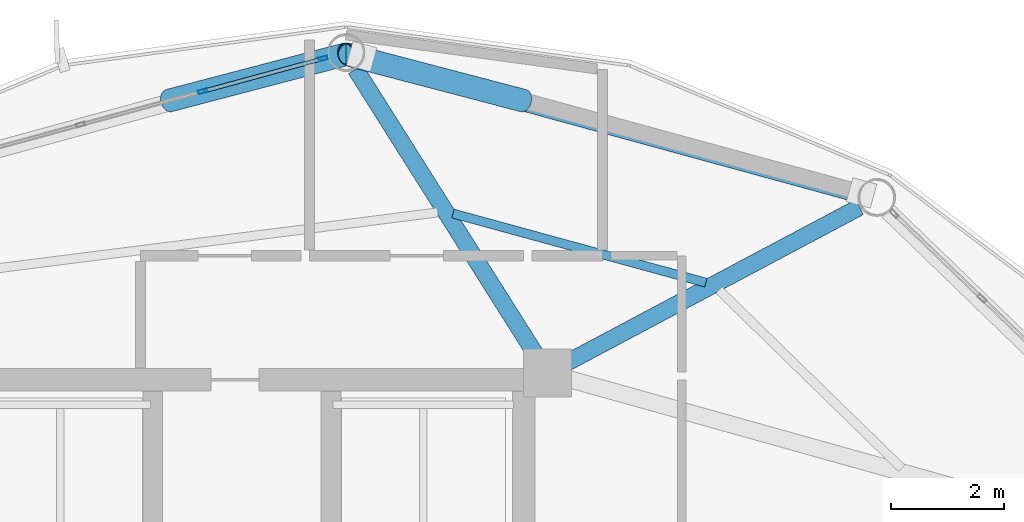
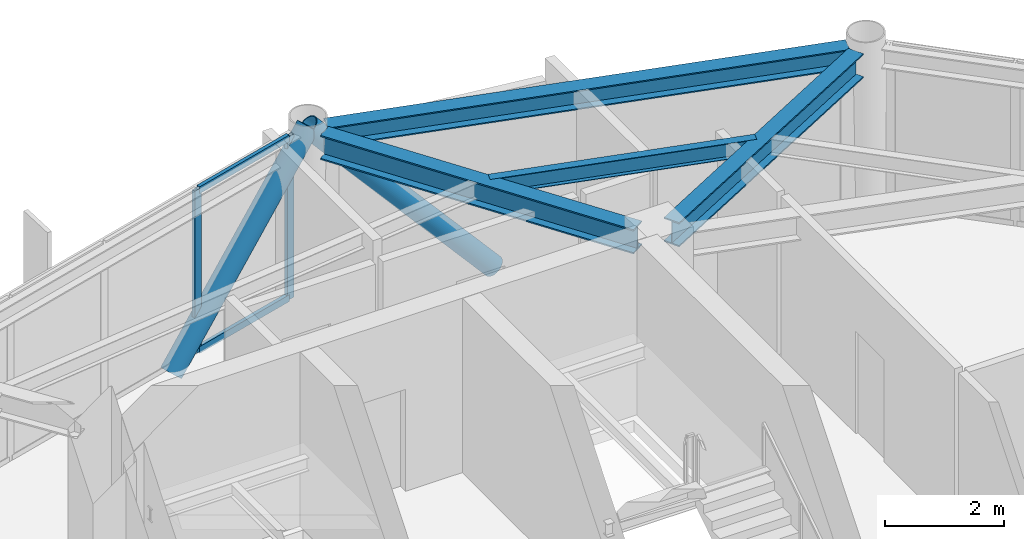
# One storey, part 18 of 26: 6 members, 4 beams, 1 element without a shape of its own.
"""IFC4 building model written with IfcOpenShell, lengths in metres."""

from ifc_helpers import new_model, si_unit, direction, frame, origin, origin_2d, place, context, subcontext, project, spatial, hollow_rectangle, hollow_circle, i_section, extrude, material, layer, layer_set, material_profile, profile_set, type_object, element, aggregate, save


model = new_model("IFC4")

# Units and contexts
model_context = context("Model", 3, precision=1e-05, world=origin(), true_north=direction((0.0, 1.0)))
body_context = subcontext(model_context, "Body", "Model", "MODEL_VIEW")
ifc_project = project(units=[si_unit("LENGTHUNIT", "METRE"), si_unit("AREAUNIT", "SQUARE_METRE"), si_unit("VOLUMEUNIT", "CUBIC_METRE"), si_unit("PLANEANGLEUNIT", "RADIAN"), si_unit("MASSUNIT", "GRAM", prefix="KILO")], contexts=[model_context])

# Site, building, storey
site_placement = place(None, origin())
site = spatial("IfcSite", under=ifc_project, at=site_placement, CompositionType="ELEMENT")
building_placement = place(site_placement, origin())
building = spatial("IfcBuilding", under=site, at=building_placement, Name="Varnakorn Sky Granary", CompositionType="ELEMENT")
storey_placement = place(building_placement, frame((0.0, 0.0, 222.0)))
storey = spatial("IfcBuildingStorey", under=building, at=storey_placement, Name="L56", CompositionType="ELEMENT", Elevation=222.0)

# Beams
ifc_material_1 = material(Name="Steel S355JR", Category="steel")
ifc_material_profile_1 = material_profile(ifc_material_1, i_section(OverallWidth=0.300048828125, OverallDepth=0.5, WebThickness=0.014404296875, FlangeThickness=0.028076171875, at=origin_2d()), Name="HE 500 B")
ifc_profile_set_1 = profile_set([ifc_material_profile_1], Name="Steel S355JR")
beam_type_1 = type_object("IfcBeamType", Name="BM-RAD-Z4", PredefinedType="BEAM", material=ifc_profile_set_1)
beam_1_placement = place(storey_placement, frame((8.777587890625, 12.81005859375, 3.110107421875), z_axis=(0.882973368635, 0.469423082391, 0.0), x_axis=(-0.469423082391, 0.882973368635, 0.0)))
element("IfcBeam", 1, at=beam_1_placement, inside=storey, type_object=beam_type_1, Name="Radial Floor Girder RG03 L56", PredefinedType="BEAM", context=body_context, shape_type="SweptSolid", body=[
    extrude(i_section(OverallWidth=0.300048828125, OverallDepth=0.5, WebThickness=0.014404296875, FlangeThickness=0.028076171875, at=origin_2d()), origin(), (0.0, 0.0, 1.0), 5.864013671875),
])
beam_2_placement = place(storey_placement, frame((8.203857421875, 12.96240234375, 3.110107421875), z_axis=(-0.533769817591, 0.845629813706, 0.0), x_axis=(-0.845629813706, -0.533769817591, 0.0)))
element("IfcBeam", 2, at=beam_2_placement, inside=storey, type_object=beam_type_1, Name="Radial Floor Girder RG04 L56", PredefinedType="BEAM", context=body_context, shape_type="SweptSolid", body=[
    extrude(i_section(OverallWidth=0.300048828125, OverallDepth=0.5, WebThickness=0.014404296875, FlangeThickness=0.028076171875, at=origin_2d()), origin(), (0.0, 0.0, 1.0), 5.968505859375),
])
ifc_material_profile_2 = material_profile(ifc_material_1, i_section(OverallWidth=0.159912109375, OverallDepth=0.330078125, WebThickness=0.007568359375, FlangeThickness=0.011474609375, at=origin_2d()), Name="IPE 330")
ifc_profile_set_2 = profile_set([ifc_material_profile_2], Name="Steel S355JR")
beam_type_2 = type_object("IfcBeamType", Name="BM-SEC-Z4", PredefinedType="BEAM", material=ifc_profile_set_2)
beam_3_placement = place(storey_placement, frame((11.2314453125, 14.223388671875, 3.195068359375), z_axis=(-0.964624345402, 0.263628284251, 0.0), x_axis=(-0.263628284251, -0.964624345402, 0.0)))
element("IfcBeam", 3, at=beam_3_placement, inside=storey, type_object=beam_type_2, Name="Secondary Floor Chord Beam MSB03 L56", PredefinedType="BEAM", context=body_context, shape_type="SweptSolid", body=[
    extrude(i_section(OverallWidth=0.159912109375, OverallDepth=0.330078125, WebThickness=0.007568359375, FlangeThickness=0.011474609375, at=origin_2d()), origin(), (0.0, 0.0, 1.0), 4.64990234375),
])
ifc_material_profile_3 = material_profile(ifc_material_1, i_section(OverallWidth=0.300048828125, OverallDepth=0.39990234375, WebThickness=0.013427734375, FlangeThickness=0.02392578125, at=origin_2d()), Name="HE 400 B")
ifc_profile_set_3 = profile_set([ifc_material_profile_3], Name="Steel S355JR")
beam_type_3 = type_object("IfcBeamType", Name="BM-SPD-Z4", PredefinedType="SPANDREL", material=ifc_profile_set_3)
beam_4_placement = place(storey_placement, frame((13.9296875, 15.793701171875, 3.159912109375), z_axis=(-0.964603252537, 0.263705451585, 0.0), x_axis=(-0.263705451585, -0.964603252537, 0.0)))
element("IfcBeam", 4, at=beam_4_placement, inside=storey, type_object=beam_type_3, Name="Perimeter Spandrel Ring Beam RB03 L56", PredefinedType="SPANDREL", context=body_context, shape_type="SweptSolid", body=[
    extrude(i_section(OverallWidth=0.300048828125, OverallDepth=0.39990234375, WebThickness=0.013427734375, FlangeThickness=0.02392578125, at=origin_2d()), origin(), (0.0, 0.0, 1.0), 9.097900390625),
])

# Curtain wall, members
ifc_material_2 = material(Name="Anodised Bronze Aluminium Alloy 6063-T6", Category="aluminium")
ifc_layer = layer(ifc_material_2, 0.169921875, Name="Anodised Bronze Aluminium Alloy 6063-T6")
ifc_layer_set = layer_set([ifc_layer], Name="Anodised Bronze Aluminium Alloy 6063-T6")
curtain_wall_type = type_object("IfcCurtainWallType", Name="CW-LAB-1", PredefinedType="USERDEFINED", material=ifc_layer_set)
curtain_wall_placement = place(storey_placement, origin())
curtain_wall = element("IfcCurtainWall", 5, at=curtain_wall_placement, inside=storey, type_object=curtain_wall_type, Name="Unitised Curtain Wall CW5 CW-L56-B04", ObjectType="CURTAIN WALL", PredefinedType="USERDEFINED")
ifc_material_profile_4 = material_profile(ifc_material_2, hollow_rectangle(XDim=0.06494140625, YDim=0.159912109375, WallThickness=0.00341796875, at=origin_2d()), Name="ALU MULL 65x160")
ifc_profile_set_4 = profile_set([ifc_material_profile_4], Name="Anodised Bronze Aluminium Alloy 6063-T6")
member_type_1 = type_object("IfcMemberType", Name="CW-LAB-1-MULL", PredefinedType="MULLION", material=ifc_profile_set_4)
member_1_placement = place(storey_placement, frame((2.3076171875, 17.6162109375, 0.0), z_axis=(0.0, 0.0, 1.0), x_axis=(-0.263275677014, 0.96472064241, 0.0)))
member_1 = element("IfcMember", 6, at=member_1_placement, type_object=member_type_1, Name="CW5 mullion 4", PredefinedType="MULLION", context=body_context, shape_type="SweptSolid", body=[
    extrude(hollow_rectangle(XDim=0.06494140625, YDim=0.159912109375, WallThickness=0.00341796875, at=origin_2d()), origin(), (0.0, 0.0, 1.0), 3.360107421875),
])
member_2_placement = place(storey_placement, frame((4.4423828125, 18.19873046875, 0.0), z_axis=(0.0, 0.0, 1.0), x_axis=(-0.263275677014, 0.96472064241, 0.0)))
member_2 = element("IfcMember", 7, at=member_2_placement, type_object=member_type_1, Name="CW5 mullion 5", PredefinedType="MULLION", context=body_context, shape_type="SweptSolid", body=[
    extrude(hollow_rectangle(XDim=0.06494140625, YDim=0.159912109375, WallThickness=0.00341796875, at=origin_2d()), origin(), (0.0, 0.0, 1.0), 3.360107421875),
])
ifc_material_profile_5 = material_profile(ifc_material_2, hollow_rectangle(XDim=0.070068359375, YDim=0.139892578125, WallThickness=0.00341796875, at=origin_2d()), Name="ALU TRAN 70x140")
ifc_profile_set_5 = profile_set([ifc_material_profile_5], Name="Anodised Bronze Aluminium Alloy 6063-T6")
member_type_2 = type_object("IfcMemberType", Name="CW-LAB-1-TRAN", PredefinedType="USERDEFINED", material=ifc_profile_set_5)
member_3_placement = place(storey_placement, frame((2.339111328125, 17.624755859375, 0.034912109375), z_axis=(0.96472446285, 0.263261677384, 0.0), x_axis=(-0.263261677384, 0.96472446285, 0.0)))
member_3 = element("IfcMember", 8, at=member_3_placement, type_object=member_type_2, Name="CW5 transom 4.1", ObjectType="TRANSOM", PredefinedType="USERDEFINED", context=body_context, shape_type="SweptSolid", body=[
    extrude(hollow_rectangle(XDim=0.070068359375, YDim=0.139892578125, WallThickness=0.00341796875, at=origin_2d()), origin(), (0.0, 0.0, 1.0), 2.147705078125),
])
member_4_placement = place(storey_placement, frame((2.339111328125, 17.624755859375, 3.324951171875), z_axis=(0.96472446285, 0.263261677384, 0.0), x_axis=(-0.263261677384, 0.96472446285, 0.0)))
member_4 = element("IfcMember", 9, at=member_4_placement, type_object=member_type_2, Name="CW5 transom 4.2", ObjectType="TRANSOM", PredefinedType="USERDEFINED", context=body_context, shape_type="SweptSolid", body=[
    extrude(hollow_rectangle(XDim=0.070068359375, YDim=0.139892578125, WallThickness=0.00341796875, at=origin_2d()), origin(), (0.0, 0.0, 1.0), 2.147705078125),
])
aggregate(curtain_wall, [member_1, member_2, member_3, member_4])

# Members
ifc_material_3 = material(Name="Steel S460M", Category="steel")
ifc_material_profile_6 = material_profile(ifc_material_3, hollow_circle(Radius=0.203125, WallThickness=0.01611328125, at=origin_2d()), Name="CHS 406.4x16")
ifc_profile_set_6 = profile_set([ifc_material_profile_6], Name="Steel S460M")
member_type_3 = type_object("IfcMemberType", Name="MB-DIAG-T4", PredefinedType="BRACE", material=ifc_profile_set_6)
member_5_placement = place(storey_placement, frame((7.989013671875, 17.453369140625, -0.1298828125), z_axis=(-0.658684379034, 0.172599181221, 0.732355386038), x_axis=(-0.25347841439, -0.967341042983, 0.0)))
element("IfcMember", 10, at=member_5_placement, inside=storey, type_object=member_type_3, Name="Perimeter CHS Diagrid Brace DG03 L56", PredefinedType="BRACE", context=body_context, shape_type="SweptSolid", body=[
    extrude(hollow_circle(Radius=0.203125, WallThickness=0.01611328125, at=origin_2d()), origin(), (0.0, 0.0, 1.0), 4.765380859375),
])
member_6_placement = place(storey_placement, frame((1.7109375, 17.453369140625, -0.1298828125), z_axis=(0.658713381549, 0.172593356855, 0.732330672674), x_axis=(-0.253459967207, 0.967345876625, 0.0)))
element("IfcMember", 11, at=member_6_placement, inside=storey, type_object=member_type_3, Name="Perimeter CHS Diagrid Brace DG04 L56", PredefinedType="BRACE", context=body_context, shape_type="SweptSolid", body=[
    extrude(hollow_circle(Radius=0.203125, WallThickness=0.01611328125, at=origin_2d()), origin(), (0.0, 0.0, 1.0), 4.765625),
])

save(model, "model.ifc")
